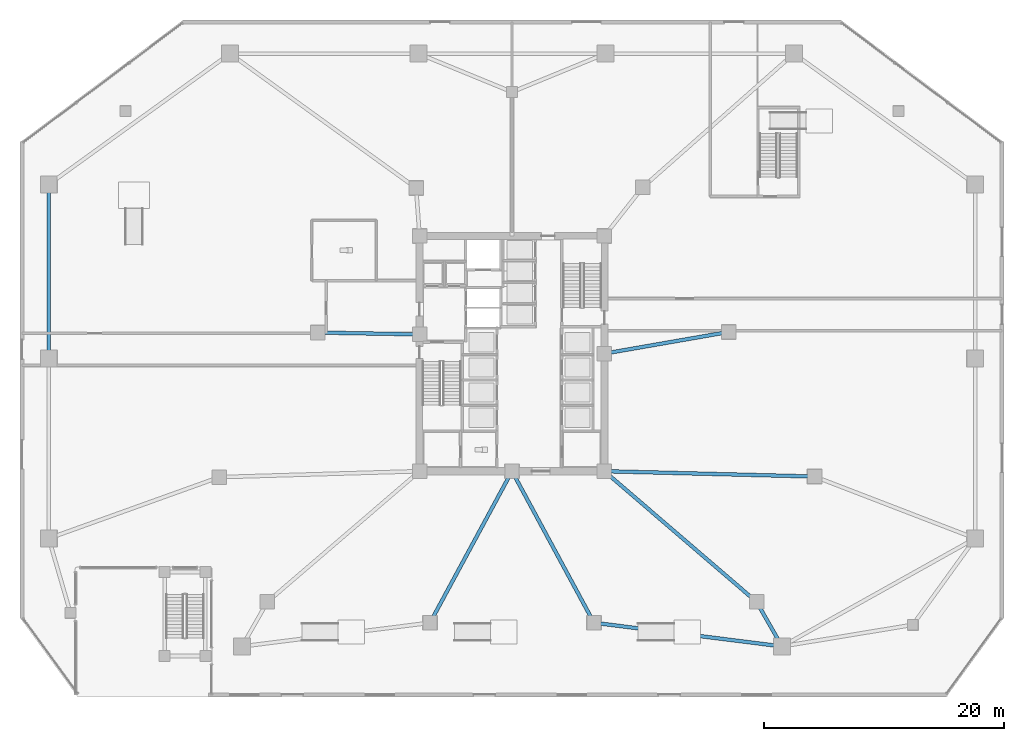
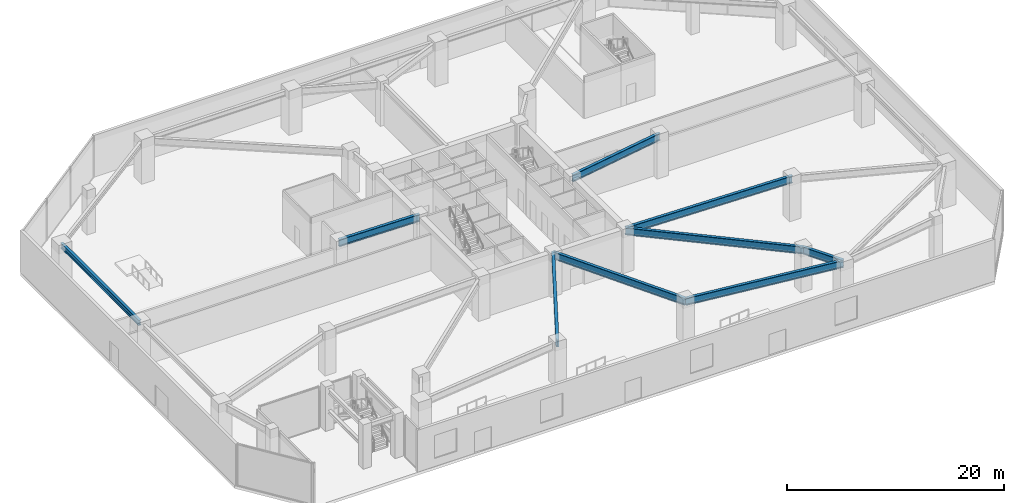
# One storey, part 3 of 22: 9 beams.
"""IFC4 building model written with IfcOpenShell, lengths in metres."""

from ifc_helpers import new_model, si_unit, direction, frame, origin, origin_2d, place, context, subcontext, project, spatial, i_section, extrude, material, material_profile, profile_set, type_object, element, save


model = new_model("IFC4")

# Units and contexts
model_context = context("Model", 3, precision=1e-05, world=origin(), true_north=direction((0.0, 1.0)))
body_context = subcontext(model_context, "Body", "Model", "MODEL_VIEW")
ifc_project = project(units=[si_unit("LENGTHUNIT", "METRE"), si_unit("AREAUNIT", "SQUARE_METRE"), si_unit("VOLUMEUNIT", "CUBIC_METRE"), si_unit("PLANEANGLEUNIT", "RADIAN"), si_unit("MASSUNIT", "GRAM", prefix="KILO")], contexts=[model_context])

# Site, building, storey
site_placement = place(None, origin())
site = spatial("IfcSite", under=ifc_project, at=site_placement, CompositionType="ELEMENT")
building_placement = place(site_placement, origin())
building = spatial("IfcBuilding", under=site, at=building_placement, Name="Savorim Split Tower", CompositionType="ELEMENT")
storey_placement = place(building_placement, origin())
storey = spatial("IfcBuildingStorey", under=building, at=storey_placement, Name="L00", CompositionType="ELEMENT", Elevation=0.0)

# Beams
ifc_material_1 = material(Name="Steel S460", Category="steel")
ifc_material_profile_1 = material_profile(ifc_material_1, i_section(OverallWidth=0.302978515625, OverallDepth=0.81396484375, WebThickness=0.02099609375, FlangeThickness=0.0400390625, FilletRadius=0.030029296875, at=origin_2d()), Name="HE 800 M")
ifc_profile_set_1 = profile_set([ifc_material_profile_1], Name="Steel S460")
beam_type_1 = type_object("IfcBeamType", Name="BM-PRI-HEM800", PredefinedType="BEAM", material=ifc_profile_set_1)
beam_1_placement = place(storey_placement, frame((22.5, -24.0, 4.31298828125), z_axis=(-0.992201816191, 0.124641710303, 0.0), x_axis=(-0.124641710303, -0.992201816191, 0.0)))
element("IfcBeam", 1, at=beam_1_placement, inside=storey, type_object=beam_type_1, Name="L00 Podium Primary Girder BG-03", PredefinedType="BEAM", context=body_context, shape_type="SweptSolid", body=[
    extrude(i_section(OverallWidth=0.302978515625, OverallDepth=0.81396484375, WebThickness=0.02099609375, FlangeThickness=0.0400390625, FilletRadius=0.030029296875, at=origin_2d()), origin(), (0.0, 0.0, 1.0), 15.791259765625),
])
beam_2_placement = place(storey_placement, frame((22.5, -24.0, 4.31298828125), z_axis=(-0.495603085314, 0.868549124591, 0.0), x_axis=(-0.868549124591, -0.495603085314, 0.0)))
element("IfcBeam", 2, at=beam_2_placement, inside=storey, type_object=beam_type_1, Name="L00 Podium Primary Girder BG-04", PredefinedType="BEAM", context=body_context, shape_type="SweptSolid", body=[
    extrude(i_section(OverallWidth=0.302978515625, OverallDepth=0.81396484375, WebThickness=0.02099609375, FlangeThickness=0.0400390625, FilletRadius=0.030029296875, at=origin_2d()), origin(), (0.0, 0.0, 1.0), 4.26953125),
])
for number, where, z_axis, x_axis, name in (
    (3, (-6.831787109375, -22.03173828125, 4.31298828125), (0.47572005496, 0.879596742438, 0.0), (-0.879596742438, 0.47572005496, 0.0), "L00 Podium Primary Girder BG-23"),
    (4, (6.831787109375, -22.03173828125, 4.31298828125), (-0.47572005496, 0.879596742438, 0.0), (-0.879596742438, -0.47572005496, 0.0), "L00 Podium Primary Girder BG-24"),
):
    element("IfcBeam", number, at=place(storey_placement, frame(where, z_axis=z_axis, x_axis=x_axis)), inside=storey, type_object=beam_type_1, Name=name, PredefinedType="BEAM", context=body_context, shape_type="SweptSolid", body=[
        extrude(i_section(OverallWidth=0.302978515625, OverallDepth=0.81396484375, WebThickness=0.02099609375, FlangeThickness=0.0400390625, FilletRadius=0.030029296875, at=origin_2d()), origin(), (0.0, 0.0, 1.0), 14.36083984375),
    ])
beam_3_placement = place(storey_placement, frame((20.384033203125, -20.291748046875, 4.31298828125), z_axis=(-0.758671842154, 0.651472974054, 0.0), x_axis=(-0.651472974054, -0.758671842154, 0.0)))
element("IfcBeam", 5, at=beam_3_placement, inside=storey, type_object=beam_type_1, Name="L00 Podium Primary Girder BG-25", PredefinedType="BEAM", context=body_context, shape_type="SweptSolid", body=[
    extrude(i_section(OverallWidth=0.302978515625, OverallDepth=0.81396484375, WebThickness=0.02099609375, FlangeThickness=0.0400390625, FilletRadius=0.030029296875, at=origin_2d()), origin(), (0.0, 0.0, 1.0), 16.71875),
])
beam_4_placement = place(storey_placement, frame((25.21337890625, -9.845458984375, 4.31298828125), z_axis=(-0.999676538363, 0.025432629574, 0.0), x_axis=(-0.025432629574, -0.999676538363, 0.0)))
element("IfcBeam", 6, at=beam_4_placement, inside=storey, type_object=beam_type_1, Name="L00 Podium Primary Girder BG-26", PredefinedType="BEAM", context=body_context, shape_type="SweptSolid", body=[
    extrude(i_section(OverallWidth=0.302978515625, OverallDepth=0.81396484375, WebThickness=0.02099609375, FlangeThickness=0.0400390625, FilletRadius=0.030029296875, at=origin_2d()), origin(), (0.0, 0.0, 1.0), 17.51904296875),
])
beam_5_placement = place(storey_placement, frame((18.049560546875, 2.202392578125, 4.31298828125), z_axis=(-0.985170620197, -0.171577530876, 0.0), x_axis=(0.171577530876, -0.985170620197, 0.0)))
element("IfcBeam", 7, at=beam_5_placement, inside=storey, type_object=beam_type_1, Name="L00 Podium Primary Girder BG-27", PredefinedType="BEAM", context=body_context, shape_type="SweptSolid", body=[
    extrude(i_section(OverallWidth=0.302978515625, OverallDepth=0.81396484375, WebThickness=0.02099609375, FlangeThickness=0.0400390625, FilletRadius=0.030029296875, at=origin_2d()), origin(), (0.0, 0.0, 1.0), 10.50537109375),
])
beam_6_placement = place(storey_placement, frame((-16.1884765625, 2.15380859375, 4.31298828125), z_axis=(0.999835880654, -0.018116615514, 0.0), x_axis=(0.018116615514, 0.999835880654, 0.0)))
element("IfcBeam", 8, at=beam_6_placement, inside=storey, type_object=beam_type_1, Name="L00 Podium Primary Girder BG-30", PredefinedType="BEAM", context=body_context, shape_type="SweptSolid", body=[
    extrude(i_section(OverallWidth=0.302978515625, OverallDepth=0.81396484375, WebThickness=0.02099609375, FlangeThickness=0.0400390625, FilletRadius=0.030029296875, at=origin_2d()), origin(), (0.0, 0.0, 1.0), 8.489990234375),
])
ifc_material_2 = material(Name="Steel S355", Category="steel")
ifc_material_profile_2 = material_profile(ifc_material_2, i_section(OverallWidth=0.300048828125, OverallDepth=0.590087890625, WebThickness=0.012939453125, FlangeThickness=0.02490234375, FilletRadius=0.027099609375, at=origin_2d()), Name="HEA 600")
ifc_profile_set_2 = profile_set([ifc_material_profile_2], Name="Steel S355")
beam_type_2 = type_object("IfcBeamType", Name="BM-SPN-HEA600", PredefinedType="SPANDREL", material=ifc_profile_set_2)
beam_7_placement = place(storey_placement, frame((-38.60009765625, 14.5, 4.425048828125), z_axis=(0.0, -1.0, 0.0), x_axis=(1.0, 0.0, 0.0)))
element("IfcBeam", 9, at=beam_7_placement, inside=storey, type_object=beam_type_2, Name="L00 Podium Spandrel Beam 10", PredefinedType="SPANDREL", context=body_context, shape_type="SweptSolid", body=[
    extrude(i_section(OverallWidth=0.300048828125, OverallDepth=0.590087890625, WebThickness=0.012939453125, FlangeThickness=0.02490234375, FilletRadius=0.027099609375, at=origin_2d()), origin(), (0.0, 0.0, 1.0), 14.5),
])

save(model, "model.ifc")
